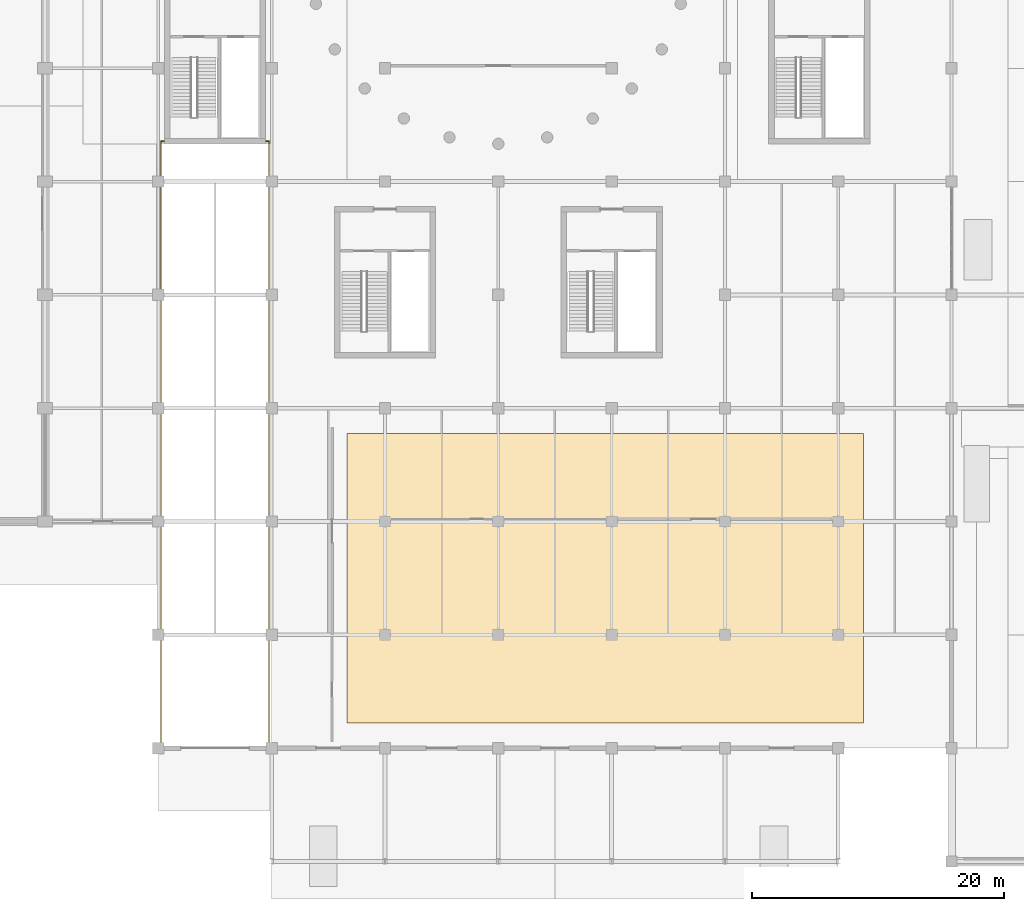
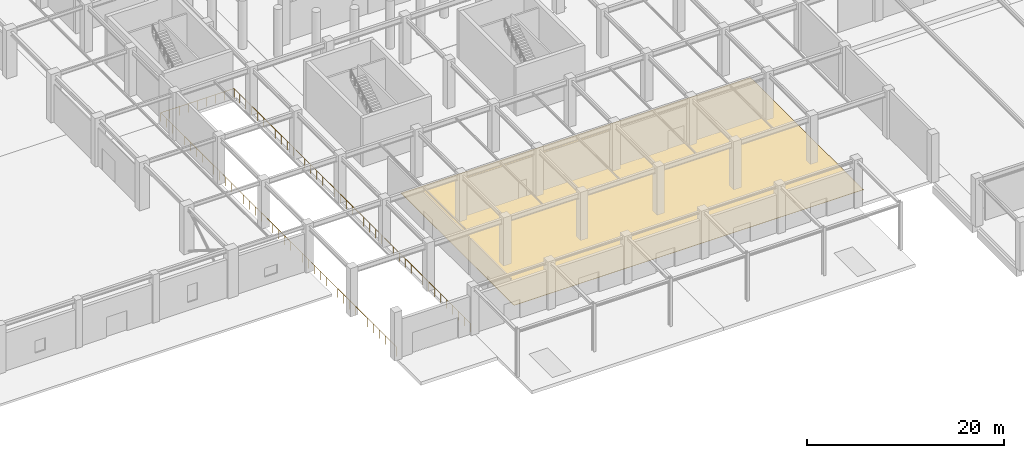
# One storey, part 79 of 91: 1 covering, 1 railing.
"""IFC4 building model written with IfcOpenShell, lengths in metres."""

from ifc_helpers import new_model, si_unit, direction, frame, origin, origin_2d, place, context, subcontext, project, spatial, polyline, circle, outline, extrude, material, layer, layer_set, type_object, element, save


model = new_model("IFC4")

# Units and contexts
model_context = context("Model", 3, precision=1e-05, world=origin(), true_north=direction((0.0, 1.0)))
body_context = subcontext(model_context, "Body", "Model", "MODEL_VIEW")
ifc_project = project(units=[si_unit("LENGTHUNIT", "METRE"), si_unit("AREAUNIT", "SQUARE_METRE"), si_unit("VOLUMEUNIT", "CUBIC_METRE"), si_unit("PLANEANGLEUNIT", "RADIAN"), si_unit("MASSUNIT", "GRAM", prefix="KILO")], contexts=[model_context])

# Site, building, storey
site_placement = place(None, origin())
site = spatial("IfcSite", under=ifc_project, at=site_placement, CompositionType="ELEMENT")
building_placement = place(site_placement, origin())
building = spatial("IfcBuilding", under=site, at=building_placement, Name="Dornveld Trade and Exhibition Forum", CompositionType="ELEMENT")
storey_placement = place(building_placement, origin())
storey = spatial("IfcBuildingStorey", under=building, at=storey_placement, Name="L00", CompositionType="ELEMENT", Elevation=0.0)

# Covering
ifc_material_1 = material(Name="Polished Namibian granite terrazzo flooring", Category="masonry")
ifc_layer = layer(ifc_material_1, 0.030029296875)
ifc_layer_set = layer_set([ifc_layer], Name="Polished Namibian granite terrazzo flooring")
covering_type = type_object("IfcCoveringType", Name="COV-FLR-TERR", PredefinedType="FLOORING", material=ifc_layer_set)
covering_placement = place(storey_placement, origin())
element("IfcCovering", 1, at=covering_placement, inside=storey, type_object=covering_type, Name="L00 architectural floor finish 1", PredefinedType="FLOORING", context=body_context, shape_type="SweptSolid", body=[
    extrude(outline(polyline([(105.0, 20.0), (146.0, 20.0), (146.0, 43.0), (105.0, 43.0), (105.0, 20.0)])), origin(), (0.0, 0.0, 1.0), 0.030029296875),
])

# Railing
ifc_material_2 = material(Name="Galvanised steel S355J2 balustrade", Category="steel")
railing_type = type_object("IfcRailingType", Name="RL-GUARD-TERR", PredefinedType="GUARDRAIL", material=ifc_material_2)
railing_placement = place(storey_placement, frame((90.199951171875, 18.199951171875, 0.0)))
element("IfcRailing", 2, at=railing_placement, inside=storey, type_object=railing_type, Name="L00 protective edge guard 13", PredefinedType="GUARDRAIL", context=body_context, shape_type="SweptSolid", body=[
    extrude(circle(Radius=0.02490234375, at=origin_2d()), frame((0.0, 0.0, 1.09521484375), z_axis=(0.0, 1.0, 0.0), x_axis=(-1.0, 0.0, 0.0)), (0.0, 0.0, 1.0), 48.0),
    extrude(circle(Radius=0.02490234375, at=origin_2d()), frame((0.0, 48.0, 1.09521484375), z_axis=(1.0, 0.0, 0.0), x_axis=(0.0, 1.0, 0.0)), (0.0, 0.0, 1.0), 8.60009765625),
    extrude(circle(Radius=0.02490234375, at=origin_2d()), frame((8.60009765625, 48.0, 1.09521484375), z_axis=(0.0, -1.0, 0.0), x_axis=(1.0, 0.0, 0.0)), (0.0, 0.0, 1.0), 48.0),
    extrude(circle(Radius=0.02099609375, at=origin_2d()), origin(), (0.0, 0.0, 1.0), 1.070068359375),
    extrude(circle(Radius=0.02099609375, at=origin_2d()), frame((0.0, 1.199951171875, 0.0)), (0.0, 0.0, 1.0), 1.070068359375),
    extrude(circle(Radius=0.02099609375, at=origin_2d()), frame((0.0, 2.39990234375, 0.0)), (0.0, 0.0, 1.0), 1.070068359375),
    extrude(circle(Radius=0.02099609375, at=origin_2d()), frame((0.0, 3.60009765625, 0.0)), (0.0, 0.0, 1.0), 1.070068359375),
    extrude(circle(Radius=0.02099609375, at=origin_2d()), frame((0.0, 4.800048828125, 0.0)), (0.0, 0.0, 1.0), 1.070068359375),
    extrude(circle(Radius=0.02099609375, at=origin_2d()), frame((0.0, 6.0, 0.0)), (0.0, 0.0, 1.0), 1.070068359375),
    extrude(circle(Radius=0.02099609375, at=origin_2d()), frame((0.0, 7.199951171875, 0.0)), (0.0, 0.0, 1.0), 1.070068359375),
    extrude(circle(Radius=0.02099609375, at=origin_2d()), frame((0.0, 8.39990234375, 0.0)), (0.0, 0.0, 1.0), 1.070068359375),
    extrude(circle(Radius=0.02099609375, at=origin_2d()), frame((0.0, 9.60009765625, 0.0)), (0.0, 0.0, 1.0), 1.070068359375),
    extrude(circle(Radius=0.02099609375, at=origin_2d()), frame((0.0, 10.800048828125, 0.0)), (0.0, 0.0, 1.0), 1.070068359375),
    extrude(circle(Radius=0.02099609375, at=origin_2d()), frame((0.0, 12.0, 0.0)), (0.0, 0.0, 1.0), 1.070068359375),
    extrude(circle(Radius=0.02099609375, at=origin_2d()), frame((0.0, 13.199951171875, 0.0)), (0.0, 0.0, 1.0), 1.070068359375),
    extrude(circle(Radius=0.02099609375, at=origin_2d()), frame((0.0, 14.39990234375, 0.0)), (0.0, 0.0, 1.0), 1.070068359375),
    extrude(circle(Radius=0.02099609375, at=origin_2d()), frame((0.0, 15.60009765625, 0.0)), (0.0, 0.0, 1.0), 1.070068359375),
    extrude(circle(Radius=0.02099609375, at=origin_2d()), frame((0.0, 16.800048828125, 0.0)), (0.0, 0.0, 1.0), 1.070068359375),
    extrude(circle(Radius=0.02099609375, at=origin_2d()), frame((0.0, 18.0, 0.0)), (0.0, 0.0, 1.0), 1.070068359375),
    extrude(circle(Radius=0.02099609375, at=origin_2d()), frame((0.0, 19.199951171875, 0.0)), (0.0, 0.0, 1.0), 1.070068359375),
    extrude(circle(Radius=0.02099609375, at=origin_2d()), frame((0.0, 20.39990234375, 0.0)), (0.0, 0.0, 1.0), 1.070068359375),
    extrude(circle(Radius=0.02099609375, at=origin_2d()), frame((0.0, 21.60009765625, 0.0)), (0.0, 0.0, 1.0), 1.070068359375),
    extrude(circle(Radius=0.02099609375, at=origin_2d()), frame((0.0, 22.800048828125, 0.0)), (0.0, 0.0, 1.0), 1.070068359375),
    extrude(circle(Radius=0.02099609375, at=origin_2d()), frame((0.0, 24.0, 0.0)), (0.0, 0.0, 1.0), 1.070068359375),
    extrude(circle(Radius=0.02099609375, at=origin_2d()), frame((0.0, 25.199951171875, 0.0)), (0.0, 0.0, 1.0), 1.070068359375),
    extrude(circle(Radius=0.02099609375, at=origin_2d()), frame((0.0, 26.39990234375, 0.0)), (0.0, 0.0, 1.0), 1.070068359375),
    extrude(circle(Radius=0.02099609375, at=origin_2d()), frame((0.0, 27.60009765625, 0.0)), (0.0, 0.0, 1.0), 1.070068359375),
    extrude(circle(Radius=0.02099609375, at=origin_2d()), frame((0.0, 28.800048828125, 0.0)), (0.0, 0.0, 1.0), 1.070068359375),
    extrude(circle(Radius=0.02099609375, at=origin_2d()), frame((0.0, 30.0, 0.0)), (0.0, 0.0, 1.0), 1.070068359375),
    extrude(circle(Radius=0.02099609375, at=origin_2d()), frame((0.0, 31.199951171875, 0.0)), (0.0, 0.0, 1.0), 1.070068359375),
    extrude(circle(Radius=0.02099609375, at=origin_2d()), frame((0.0, 32.39990234375, 0.0)), (0.0, 0.0, 1.0), 1.070068359375),
    extrude(circle(Radius=0.02099609375, at=origin_2d()), frame((0.0, 33.60009765625, 0.0)), (0.0, 0.0, 1.0), 1.070068359375),
    extrude(circle(Radius=0.02099609375, at=origin_2d()), frame((0.0, 34.800048828125, 0.0)), (0.0, 0.0, 1.0), 1.070068359375),
    extrude(circle(Radius=0.02099609375, at=origin_2d()), frame((0.0, 36.0, 0.0)), (0.0, 0.0, 1.0), 1.070068359375),
    extrude(circle(Radius=0.02099609375, at=origin_2d()), frame((0.0, 37.199951171875, 0.0)), (0.0, 0.0, 1.0), 1.070068359375),
    extrude(circle(Radius=0.02099609375, at=origin_2d()), frame((0.0, 38.39990234375, 0.0)), (0.0, 0.0, 1.0), 1.070068359375),
    extrude(circle(Radius=0.02099609375, at=origin_2d()), frame((0.0, 39.60009765625, 0.0)), (0.0, 0.0, 1.0), 1.070068359375),
    extrude(circle(Radius=0.02099609375, at=origin_2d()), frame((0.0, 40.800048828125, 0.0)), (0.0, 0.0, 1.0), 1.070068359375),
    extrude(circle(Radius=0.02099609375, at=origin_2d()), frame((0.0, 42.0, 0.0)), (0.0, 0.0, 1.0), 1.070068359375),
    extrude(circle(Radius=0.02099609375, at=origin_2d()), frame((0.0, 43.199951171875, 0.0)), (0.0, 0.0, 1.0), 1.070068359375),
    extrude(circle(Radius=0.02099609375, at=origin_2d()), frame((0.0, 44.39990234375, 0.0)), (0.0, 0.0, 1.0), 1.070068359375),
    extrude(circle(Radius=0.02099609375, at=origin_2d()), frame((0.0, 45.60009765625, 0.0)), (0.0, 0.0, 1.0), 1.070068359375),
    extrude(circle(Radius=0.02099609375, at=origin_2d()), frame((0.0, 46.800048828125, 0.0)), (0.0, 0.0, 1.0), 1.070068359375),
    extrude(circle(Radius=0.02099609375, at=origin_2d()), frame((0.0, 48.0, 0.0)), (0.0, 0.0, 1.0), 1.070068359375),
    extrude(circle(Radius=0.02099609375, at=origin_2d()), frame((1.074951171875, 48.0, 0.0)), (0.0, 0.0, 1.0), 1.070068359375),
    extrude(circle(Radius=0.02099609375, at=origin_2d()), frame((2.14990234375, 48.0, 0.0)), (0.0, 0.0, 1.0), 1.070068359375),
    extrude(circle(Radius=0.02099609375, at=origin_2d()), frame((3.22509765625, 48.0, 0.0)), (0.0, 0.0, 1.0), 1.070068359375),
    extrude(circle(Radius=0.02099609375, at=origin_2d()), frame((4.300048828125, 48.0, 0.0)), (0.0, 0.0, 1.0), 1.070068359375),
    extrude(circle(Radius=0.02099609375, at=origin_2d()), frame((5.375, 48.0, 0.0)), (0.0, 0.0, 1.0), 1.070068359375),
    extrude(circle(Radius=0.02099609375, at=origin_2d()), frame((6.4501953125, 48.0, 0.0)), (0.0, 0.0, 1.0), 1.070068359375),
    extrude(circle(Radius=0.02099609375, at=origin_2d()), frame((7.525146484375, 48.0, 0.0)), (0.0, 0.0, 1.0), 1.070068359375),
    extrude(circle(Radius=0.02099609375, at=origin_2d()), frame((8.60009765625, 48.0, 0.0)), (0.0, 0.0, 1.0), 1.070068359375),
    extrude(circle(Radius=0.02099609375, at=origin_2d()), frame((8.60009765625, 46.800048828125, 0.0)), (0.0, 0.0, 1.0), 1.070068359375),
    extrude(circle(Radius=0.02099609375, at=origin_2d()), frame((8.60009765625, 45.60009765625, 0.0)), (0.0, 0.0, 1.0), 1.070068359375),
    extrude(circle(Radius=0.02099609375, at=origin_2d()), frame((8.60009765625, 44.39990234375, 0.0)), (0.0, 0.0, 1.0), 1.070068359375),
    extrude(circle(Radius=0.02099609375, at=origin_2d()), frame((8.60009765625, 43.199951171875, 0.0)), (0.0, 0.0, 1.0), 1.070068359375),
    extrude(circle(Radius=0.02099609375, at=origin_2d()), frame((8.60009765625, 42.0, 0.0)), (0.0, 0.0, 1.0), 1.070068359375),
    extrude(circle(Radius=0.02099609375, at=origin_2d()), frame((8.60009765625, 40.800048828125, 0.0)), (0.0, 0.0, 1.0), 1.070068359375),
    extrude(circle(Radius=0.02099609375, at=origin_2d()), frame((8.60009765625, 39.60009765625, 0.0)), (0.0, 0.0, 1.0), 1.070068359375),
    extrude(circle(Radius=0.02099609375, at=origin_2d()), frame((8.60009765625, 38.39990234375, 0.0)), (0.0, 0.0, 1.0), 1.070068359375),
    extrude(circle(Radius=0.02099609375, at=origin_2d()), frame((8.60009765625, 37.199951171875, 0.0)), (0.0, 0.0, 1.0), 1.070068359375),
    extrude(circle(Radius=0.02099609375, at=origin_2d()), frame((8.60009765625, 36.0, 0.0)), (0.0, 0.0, 1.0), 1.070068359375),
    extrude(circle(Radius=0.02099609375, at=origin_2d()), frame((8.60009765625, 34.800048828125, 0.0)), (0.0, 0.0, 1.0), 1.070068359375),
    extrude(circle(Radius=0.02099609375, at=origin_2d()), frame((8.60009765625, 33.60009765625, 0.0)), (0.0, 0.0, 1.0), 1.070068359375),
    extrude(circle(Radius=0.02099609375, at=origin_2d()), frame((8.60009765625, 32.39990234375, 0.0)), (0.0, 0.0, 1.0), 1.070068359375),
    extrude(circle(Radius=0.02099609375, at=origin_2d()), frame((8.60009765625, 31.199951171875, 0.0)), (0.0, 0.0, 1.0), 1.070068359375),
    extrude(circle(Radius=0.02099609375, at=origin_2d()), frame((8.60009765625, 30.0, 0.0)), (0.0, 0.0, 1.0), 1.070068359375),
    extrude(circle(Radius=0.02099609375, at=origin_2d()), frame((8.60009765625, 28.800048828125, 0.0)), (0.0, 0.0, 1.0), 1.070068359375),
    extrude(circle(Radius=0.02099609375, at=origin_2d()), frame((8.60009765625, 27.60009765625, 0.0)), (0.0, 0.0, 1.0), 1.070068359375),
    extrude(circle(Radius=0.02099609375, at=origin_2d()), frame((8.60009765625, 26.39990234375, 0.0)), (0.0, 0.0, 1.0), 1.070068359375),
    extrude(circle(Radius=0.02099609375, at=origin_2d()), frame((8.60009765625, 25.199951171875, 0.0)), (0.0, 0.0, 1.0), 1.070068359375),
    extrude(circle(Radius=0.02099609375, at=origin_2d()), frame((8.60009765625, 24.0, 0.0)), (0.0, 0.0, 1.0), 1.070068359375),
    extrude(circle(Radius=0.02099609375, at=origin_2d()), frame((8.60009765625, 22.800048828125, 0.0)), (0.0, 0.0, 1.0), 1.070068359375),
    extrude(circle(Radius=0.02099609375, at=origin_2d()), frame((8.60009765625, 21.60009765625, 0.0)), (0.0, 0.0, 1.0), 1.070068359375),
    extrude(circle(Radius=0.02099609375, at=origin_2d()), frame((8.60009765625, 20.39990234375, 0.0)), (0.0, 0.0, 1.0), 1.070068359375),
    extrude(circle(Radius=0.02099609375, at=origin_2d()), frame((8.60009765625, 19.199951171875, 0.0)), (0.0, 0.0, 1.0), 1.070068359375),
    extrude(circle(Radius=0.02099609375, at=origin_2d()), frame((8.60009765625, 18.0, 0.0)), (0.0, 0.0, 1.0), 1.070068359375),
    extrude(circle(Radius=0.02099609375, at=origin_2d()), frame((8.60009765625, 16.800048828125, 0.0)), (0.0, 0.0, 1.0), 1.070068359375),
    extrude(circle(Radius=0.02099609375, at=origin_2d()), frame((8.60009765625, 15.60009765625, 0.0)), (0.0, 0.0, 1.0), 1.070068359375),
    extrude(circle(Radius=0.02099609375, at=origin_2d()), frame((8.60009765625, 14.39990234375, 0.0)), (0.0, 0.0, 1.0), 1.070068359375),
    extrude(circle(Radius=0.02099609375, at=origin_2d()), frame((8.60009765625, 13.199951171875, 0.0)), (0.0, 0.0, 1.0), 1.070068359375),
    extrude(circle(Radius=0.02099609375, at=origin_2d()), frame((8.60009765625, 12.0, 0.0)), (0.0, 0.0, 1.0), 1.070068359375),
    extrude(circle(Radius=0.02099609375, at=origin_2d()), frame((8.60009765625, 10.800048828125, 0.0)), (0.0, 0.0, 1.0), 1.070068359375),
    extrude(circle(Radius=0.02099609375, at=origin_2d()), frame((8.60009765625, 9.60009765625, 0.0)), (0.0, 0.0, 1.0), 1.070068359375),
    extrude(circle(Radius=0.02099609375, at=origin_2d()), frame((8.60009765625, 8.39990234375, 0.0)), (0.0, 0.0, 1.0), 1.070068359375),
    extrude(circle(Radius=0.02099609375, at=origin_2d()), frame((8.60009765625, 7.199951171875, 0.0)), (0.0, 0.0, 1.0), 1.070068359375),
    extrude(circle(Radius=0.02099609375, at=origin_2d()), frame((8.60009765625, 6.0, 0.0)), (0.0, 0.0, 1.0), 1.070068359375),
    extrude(circle(Radius=0.02099609375, at=origin_2d()), frame((8.60009765625, 4.800048828125, 0.0)), (0.0, 0.0, 1.0), 1.070068359375),
    extrude(circle(Radius=0.02099609375, at=origin_2d()), frame((8.60009765625, 3.60009765625, 0.0)), (0.0, 0.0, 1.0), 1.070068359375),
    extrude(circle(Radius=0.02099609375, at=origin_2d()), frame((8.60009765625, 2.39990234375, 0.0)), (0.0, 0.0, 1.0), 1.070068359375),
    extrude(circle(Radius=0.02099609375, at=origin_2d()), frame((8.60009765625, 1.199951171875, 0.0)), (0.0, 0.0, 1.0), 1.070068359375),
    extrude(circle(Radius=0.02099609375, at=origin_2d()), frame((8.60009765625, 0.0, 0.0)), (0.0, 0.0, 1.0), 1.070068359375),
])

save(model, "model.ifc")
